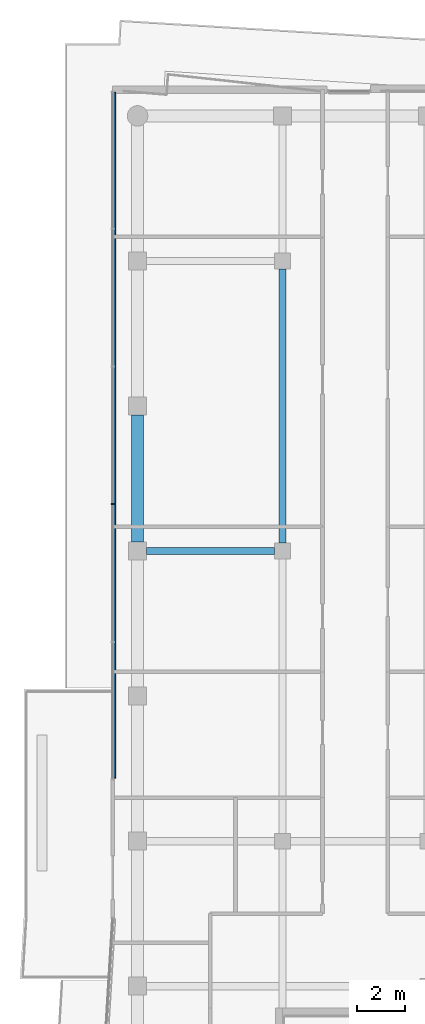
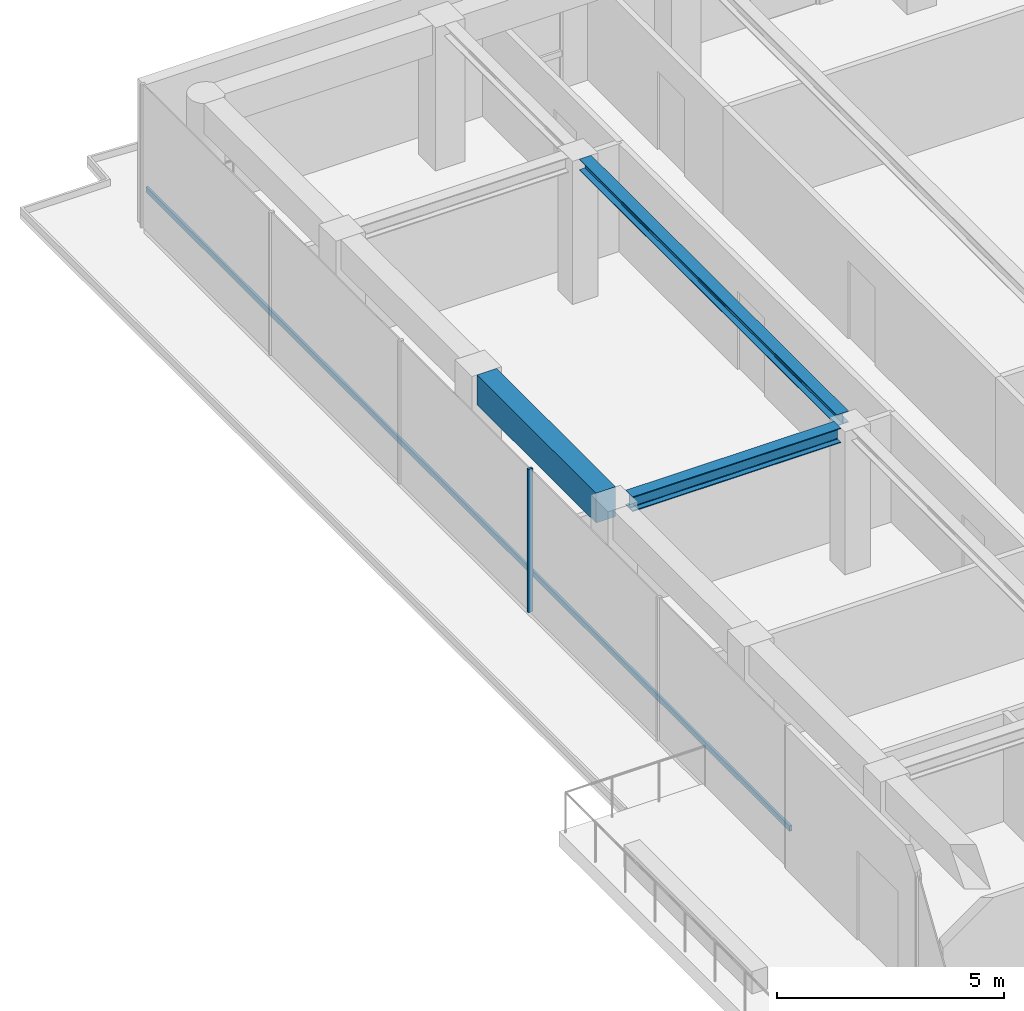
# One storey, part 9 of 18: 3 beams, 2 members, 1 element without a shape of its own.
"""IFC4 building model written with IfcOpenShell, lengths in metres."""

from ifc_helpers import new_model, si_unit, direction, frame, origin, origin_2d, place, context, subcontext, project, spatial, rectangle, i_section, extrude, material, layer, layer_set, material_profile, profile_set, type_object, element, aggregate, save


model = new_model("IFC4")

# Units and contexts
model_context = context("Model", 3, precision=1e-05, world=origin(), true_north=direction((0.0, 1.0)))
body_context = subcontext(model_context, "Body", "Model", "MODEL_VIEW")
ifc_project = project(units=[si_unit("LENGTHUNIT", "METRE"), si_unit("AREAUNIT", "SQUARE_METRE"), si_unit("VOLUMEUNIT", "CUBIC_METRE"), si_unit("PLANEANGLEUNIT", "RADIAN"), si_unit("MASSUNIT", "GRAM", prefix="KILO")], contexts=[model_context])

# Site, building, storey
site_placement = place(None, origin())
site = spatial("IfcSite", under=ifc_project, at=site_placement, CompositionType="ELEMENT")
building_placement = place(site_placement, origin())
building = spatial("IfcBuilding", under=site, at=building_placement, Name="Welwitschia Terrace Campus", CompositionType="ELEMENT")
storey_placement = place(building_placement, frame((0.0, 0.0, 272.60009765625)))
storey = spatial("IfcBuildingStorey", under=building, at=storey_placement, Name="L60", CompositionType="ELEMENT", Elevation=272.60009765625)

# Beam
ifc_material_1 = material(Name="Steel S355", Category="steel")
ifc_material_profile_1 = material_profile(ifc_material_1, i_section(OverallWidth=0.300048828125, OverallDepth=0.300048828125, WebThickness=0.010986328125, FlangeThickness=0.01904296875, FilletRadius=0.027099609375, at=origin_2d()))
ifc_profile_set_1 = profile_set([ifc_material_profile_1], Name="Steel S355")
beam_type_1 = type_object("IfcBeamType", Name="Interior girder HE 300 B", PredefinedType="BEAM", material=ifc_profile_set_1)
beam_1_placement = place(storey_placement, frame((6.0, 44.325439453125, 3.699951171875), z_axis=(0.0, 1.0, 0.0), x_axis=(-1.0, 0.0, 0.0)))
element("IfcBeam", 1, at=beam_1_placement, inside=storey, type_object=beam_type_1, Name="Girder GB6", PredefinedType="BEAM", context=body_context, shape_type="SweptSolid", body=[
    extrude(i_section(OverallWidth=0.300048828125, OverallDepth=0.300048828125, WebThickness=0.010986328125, FlangeThickness=0.01904296875, FilletRadius=0.027099609375, at=origin_2d()), origin(), (0.0, 0.0, 1.0), 11.34912109375),
])

# Curtain wall, member
ifc_material_2 = material(Name="Bronze anodised aluminium", Category="aluminium")
ifc_layer = layer(ifc_material_2, 0.1201171875)
ifc_layer_set = layer_set([ifc_layer], Name="Bronze anodised aluminium")
curtain_wall_type = type_object("IfcCurtainWallType", Name="Curtain wall CW2 tower 6000", PredefinedType="NOTDEFINED", material=ifc_layer_set)
curtain_wall_placement = place(storey_placement, origin())
curtain_wall = element("IfcCurtainWall", 2, at=curtain_wall_placement, inside=storey, type_object=curtain_wall_type, Name="CW L60.9.0", PredefinedType="NOTDEFINED")
ifc_material_3 = material(Name="Bronze anodised aluminium", Category="aluminium")
ifc_material_profile_2 = material_profile(ifc_material_3, rectangle(XDim=0.1201171875, YDim=0.06005859375, at=origin_2d()))
ifc_profile_set_2 = profile_set([ifc_material_profile_2], Name="Bronze anodised aluminium")
member_type_1 = type_object("IfcMemberType", Name="Mullion 60x120", PredefinedType="MULLION", material=ifc_profile_set_2)
member_1_placement = place(storey_placement, frame((-1.030029296875, 45.938232421875, 0.0), z_axis=(0.0, 0.0, 1.0), x_axis=(1.0, 0.0, 0.0)))
member_1 = element("IfcMember", 3, at=member_1_placement, type_object=member_type_1, Name="Mullion L60.9.0.3", PredefinedType="MULLION", context=body_context, shape_type="SweptSolid", body=[
    extrude(rectangle(XDim=0.1201171875, YDim=0.06005859375, at=origin_2d()), origin(), (0.0, 0.0, 1.0), 3.849853515625),
])

# Beams
ifc_material_4 = material(Name="Steel S355", Category="steel")
ifc_material_profile_3 = material_profile(ifc_material_4, i_section(OverallWidth=0.300048828125, OverallDepth=0.39990234375, WebThickness=0.013427734375, FlangeThickness=0.02392578125, FilletRadius=0.027099609375, at=origin_2d()))
ifc_profile_set_3 = profile_set([ifc_material_profile_3], Name="Steel S355")
beam_type_2 = type_object("IfcBeamType", Name="Primary beam HE 400 B", PredefinedType="BEAM", material=ifc_profile_set_3)
beam_2_placement = place(storey_placement, frame((0.37548828125, 44.0, 3.64990234375), z_axis=(1.0, 0.0, 0.0), x_axis=(0.0, 1.0, 0.0)))
element("IfcBeam", 4, at=beam_2_placement, inside=storey, type_object=beam_type_2, Name="Primary beam PB6", PredefinedType="BEAM", context=body_context, shape_type="SweptSolid", body=[
    extrude(i_section(OverallWidth=0.300048828125, OverallDepth=0.39990234375, WebThickness=0.013427734375, FlangeThickness=0.02392578125, FilletRadius=0.027099609375, at=origin_2d()), origin(), (0.0, 0.0, 1.0), 5.299072265625),
])
ifc_material_5 = material(Name="Concrete C50/60", Category="concrete")
ifc_material_profile_4 = material_profile(ifc_material_5, rectangle(XDim=0.5, YDim=0.800048828125, at=origin_2d()))
ifc_profile_set_4 = profile_set([ifc_material_profile_4], Name="Concrete C50/60")
beam_type_3 = type_object("IfcBeamType", Name="Ring spandrel 500x800", PredefinedType="SPANDREL", material=ifc_profile_set_4)
beam_3_placement = place(storey_placement, frame((0.0, 49.62451171875, 3.449951171875), z_axis=(0.0, -1.0, 0.0), x_axis=(1.0, 0.0, 0.0)))
element("IfcBeam", 5, at=beam_3_placement, inside=storey, type_object=beam_type_3, Name="Spandrel SP4", PredefinedType="SPANDREL", context=body_context, shape_type="SweptSolid", body=[
    extrude(rectangle(XDim=0.5, YDim=0.800048828125, at=origin_2d()), origin(), (0.0, 0.0, 1.0), 5.2490234375),
])

# Member
ifc_material_6 = material(Name="Bronze anodised aluminium", Category="aluminium")
ifc_material_profile_5 = material_profile(ifc_material_6, rectangle(XDim=0.06005859375, YDim=0.14990234375, at=origin_2d()))
ifc_profile_set_5 = profile_set([ifc_material_profile_5], Name="Bronze anodised aluminium")
member_type_2 = type_object("IfcMemberType", Name="Transom 60x150", PredefinedType="USERDEFINED", material=ifc_profile_set_5)
member_2_placement = place(storey_placement, frame((-0.93994140625, 62.969970703125, 1.0), z_axis=(0.0, -1.0, 0.0), x_axis=(1.0, 0.0, 0.0)))
member_2 = element("IfcMember", 6, at=member_2_placement, type_object=member_type_2, Name="Transom L60.9.0", ObjectType="TRANSOM", PredefinedType="USERDEFINED", context=body_context, shape_type="SweptSolid", body=[
    extrude(rectangle(XDim=0.06005859375, YDim=0.14990234375, at=origin_2d()), origin(), (0.0, 0.0, 1.0), 28.3662109375),
])

aggregate(curtain_wall, [member_1, member_2])

save(model, "model.ifc")
